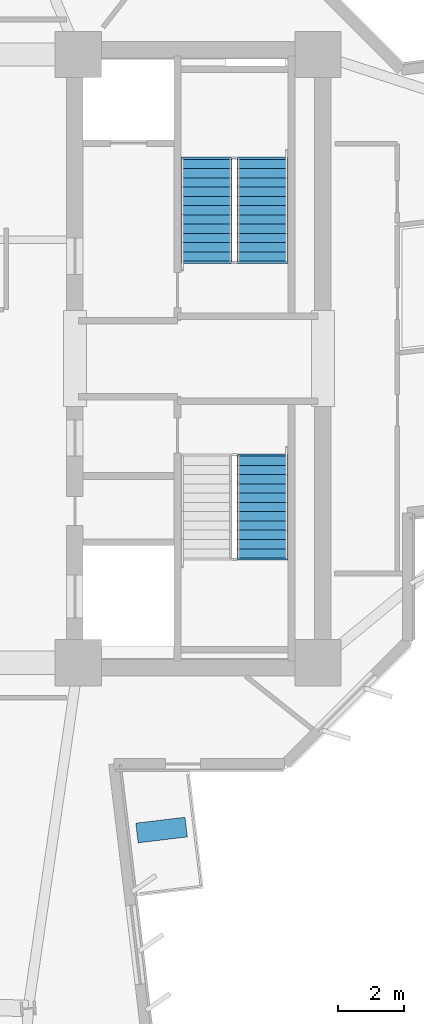
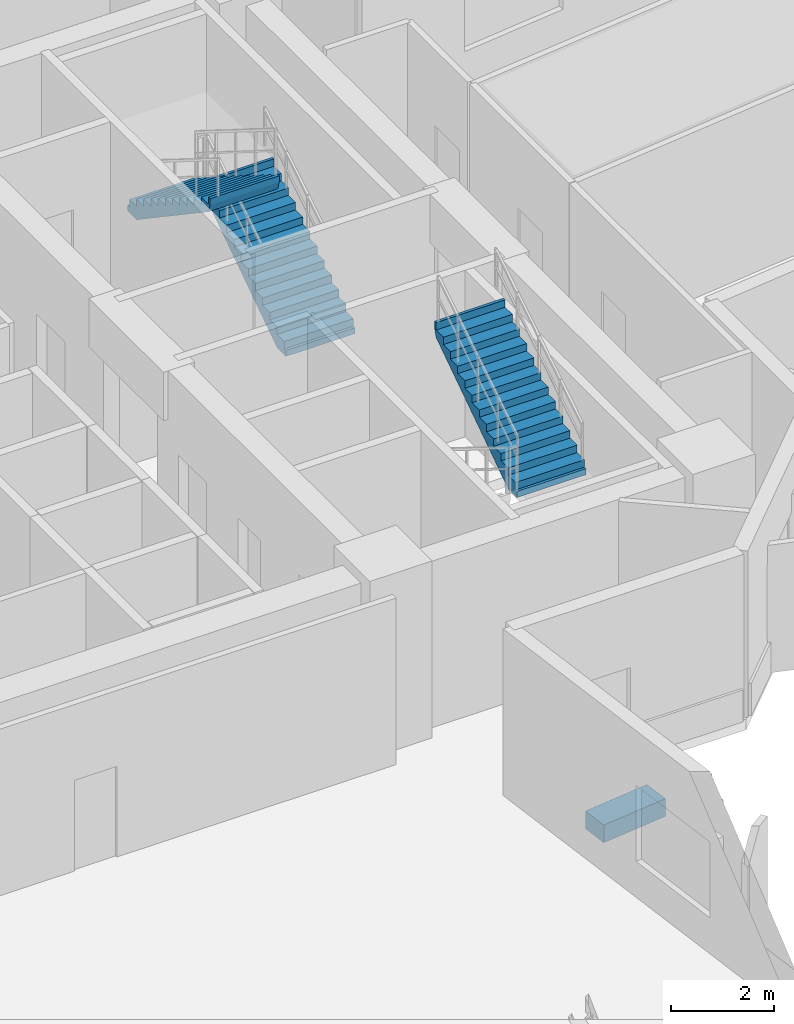
# One storey, part 10 of 15: 3 stair flights, 1 discrete accessory, 2 elements without a shape of their own.
"""IFC4 building model written with IfcOpenShell, lengths in metres."""

from ifc_helpers import new_model, si_unit, direction, frame, origin, origin_2d, place, context, subcontext, project, spatial, polyline, rectangle, outline, extrude, source, transform, mapped, material, type_object, element, aggregate, save


model = new_model("IFC4")

# Units and contexts
model_context = context("Model", 3, precision=1e-05, world=origin(), true_north=direction((0.0, 1.0)))
body_context = subcontext(model_context, "Body", "Model", "MODEL_VIEW")
ifc_project = project(units=[si_unit("LENGTHUNIT", "METRE"), si_unit("AREAUNIT", "SQUARE_METRE"), si_unit("VOLUMEUNIT", "CUBIC_METRE"), si_unit("PLANEANGLEUNIT", "RADIAN"), si_unit("MASSUNIT", "GRAM", prefix="KILO")], contexts=[model_context])

# Site, building, storey
site_placement = place(None, origin())
site = spatial("IfcSite", under=ifc_project, at=site_placement, CompositionType="ELEMENT")
building_placement = place(site_placement, origin())
building = spatial("IfcBuilding", under=site, at=building_placement, Name="Zahravan Cultural Tower", CompositionType="ELEMENT")
storey_placement = place(building_placement, frame((0.0, 0.0, 104.699951171875)))
storey = spatial("IfcBuildingStorey", under=building, at=storey_placement, Name="L23", CompositionType="ELEMENT", Elevation=104.699951171875)

# Stair, stair flights
ifc_material_1 = material(Name="Concrete C45/55", Category="concrete")
stair_type = type_object("IfcStairType", Name="STR-DL-1550-420", PredefinedType="HALF_TURN_STAIR", material=ifc_material_1)
stair_1_placement = place(storey_placement, origin())
stair_1 = element("IfcStair", 1, at=stair_1_placement, inside=storey, type_object=stair_type, Name="L23 East Core North Exit Stair ST-E1", PredefinedType="HALF_TURN_STAIR")
stair_flight_type = type_object("IfcStairFlightType", Name="FLG-DL-1550-420", PredefinedType="STRAIGHT", material=ifc_material_1)
stair_flight_1_placement = place(storey_placement, frame((48.675048828125, 29.949951171875, 0.0), z_axis=(0.0, 0.0, 1.0), x_axis=(0.0, 1.0, 0.0)))
stair_flight_1 = element("IfcStairFlight", 2, at=stair_flight_1_placement, type_object=stair_flight_type, Name="ST-E1 flight 1", NumberOfRisers=12, NumberOfTreads=11, PredefinedType="STRAIGHT", RiserHeight=0.175, TreadLength=0.28, context=body_context, shape_type="SweptSolid", body=[
    extrude(outline(polyline([(-0.06494140625, -0.139892578125), (-0.06494140625, 0.0), (0.0, 0.0), (0.0, 0.175048828125), (0.280029296875, 0.175048828125), (0.280029296875, 0.35009765625), (0.56005859375, 0.35009765625), (0.56005859375, 0.52490234375), (0.840087890625, 0.52490234375), (0.840087890625, 0.699951171875), (1.1201171875, 0.699951171875), (1.1201171875, 0.875), (1.39990234375, 0.875), (1.39990234375, 1.050048828125), (1.679931640625, 1.050048828125), (1.679931640625, 1.22509765625), (1.9599609375, 1.22509765625), (1.9599609375, 1.39990234375), (2.239990234375, 1.39990234375), (2.239990234375, 1.574951171875), (2.52001953125, 1.574951171875), (2.52001953125, 1.75), (2.800048828125, 1.75), (2.800048828125, 1.925048828125), (3.080078125, 1.925048828125), (3.080078125, 2.10009765625), (3.14501953125, 2.10009765625), (3.14501953125, 1.9501953125), (3.080078125, 1.748291015625), (0.28271484375, -0.139892578125), (-0.06494140625, -0.139892578125)])), frame((0.0, 0.77490234375, 0.0), z_axis=(0.0, -1.0, 0.0), x_axis=(1.0, 0.0, 0.0)), (0.0, 0.0, 1.0), 1.550048828125),
])
stair_flight_2_placement = place(storey_placement, frame((46.97509765625, 33.030029296875, 2.10009765625), z_axis=(0.0, 0.0, 1.0), x_axis=(0.0, -1.0, 0.0)))
stair_flight_2 = element("IfcStairFlight", 3, at=stair_flight_2_placement, type_object=stair_flight_type, Name="ST-E1 flight 2", NumberOfRisers=12, NumberOfTreads=11, PredefinedType="STRAIGHT", RiserHeight=0.175, TreadLength=0.28, context=body_context, shape_type="SweptSolid", body=[
    extrude(outline(polyline([(-0.06494140625, -0.139892578125), (-0.06494140625, 0.0), (0.0, 0.0), (0.0, 0.175048828125), (0.280029296875, 0.175048828125), (0.280029296875, 0.35009765625), (0.56005859375, 0.35009765625), (0.56005859375, 0.52490234375), (0.840087890625, 0.52490234375), (0.840087890625, 0.699951171875), (1.1201171875, 0.699951171875), (1.1201171875, 0.875), (1.39990234375, 0.875), (1.39990234375, 1.050048828125), (1.679931640625, 1.050048828125), (1.679931640625, 1.22509765625), (1.9599609375, 1.22509765625), (1.9599609375, 1.39990234375), (2.239990234375, 1.39990234375), (2.239990234375, 1.574951171875), (2.52001953125, 1.574951171875), (2.52001953125, 1.75), (2.800048828125, 1.75), (2.800048828125, 1.925048828125), (3.080078125, 1.925048828125), (3.080078125, 2.10009765625), (3.14501953125, 2.10009765625), (3.14501953125, 1.9501953125), (3.080078125, 1.748291015625), (0.28271484375, -0.139892578125), (-0.06494140625, -0.139892578125)])), frame((0.0, 0.77490234375, 0.0), z_axis=(0.0, -1.0, 0.0), x_axis=(1.0, 0.0, 0.0)), (0.0, 0.0, 1.0), 1.550048828125),
])
aggregate(stair_1, [stair_flight_1, stair_flight_2])

# Stair, stair flight
stair_2_placement = place(storey_placement, origin())
stair_2 = element("IfcStair", 4, at=stair_2_placement, inside=storey, type_object=stair_type, Name="L23 East Core South Exit Stair ST-E2", PredefinedType="HALF_TURN_STAIR")
stair_flight_3_placement = place(storey_placement, frame((48.675048828125, 20.969970703125, 2.10009765625), z_axis=(0.0, 0.0, 1.0), x_axis=(0.0, 1.0, 0.0)))
stair_flight_3 = element("IfcStairFlight", 5, at=stair_flight_3_placement, type_object=stair_flight_type, Name="ST-E2 flight 2", NumberOfRisers=12, NumberOfTreads=11, PredefinedType="STRAIGHT", RiserHeight=0.175, TreadLength=0.28, context=body_context, shape_type="SweptSolid", body=[
    extrude(outline(polyline([(-0.06494140625, -0.139892578125), (-0.06494140625, 0.0), (0.0, 0.0), (0.0, 0.175048828125), (0.280029296875, 0.175048828125), (0.280029296875, 0.35009765625), (0.56005859375, 0.35009765625), (0.56005859375, 0.52490234375), (0.840087890625, 0.52490234375), (0.840087890625, 0.699951171875), (1.1201171875, 0.699951171875), (1.1201171875, 0.875), (1.39990234375, 0.875), (1.39990234375, 1.050048828125), (1.679931640625, 1.050048828125), (1.679931640625, 1.22509765625), (1.9599609375, 1.22509765625), (1.9599609375, 1.39990234375), (2.239990234375, 1.39990234375), (2.239990234375, 1.574951171875), (2.52001953125, 1.574951171875), (2.52001953125, 1.75), (2.800048828125, 1.75), (2.800048828125, 1.925048828125), (3.080078125, 1.925048828125), (3.080078125, 2.10009765625), (3.14501953125, 2.10009765625), (3.14501953125, 1.9501953125), (3.080078125, 1.748291015625), (0.28271484375, -0.139892578125), (-0.06494140625, -0.139892578125)])), frame((0.0, 0.77490234375, 0.0), z_axis=(0.0, -1.0, 0.0), x_axis=(1.0, 0.0, 0.0)), (0.0, 0.0, 1.0), 1.550048828125),
])
aggregate(stair_2, [stair_flight_3])

# Discrete accessory
ifc_material_2 = material(Name="Planted soil and terracotta planter", Category="masonry")
discrete_accessory_type = type_object("IfcDiscreteAccessoryType", Name="ACC-PLANTER-TC", PredefinedType="USERDEFINED", material=ifc_material_2)
shared_shape = source(origin(), body_context, "Body", "SweptSolid", [
    extrude(rectangle(XDim=1.5, YDim=0.60009765625, at=origin_2d()), origin(), (0.0, 0.0, 1.0), 0.419921875),
])
discrete_accessory_placement = place(storey_placement, frame((45.619140625, 12.741455078125, 0.0), z_axis=(0.0, 0.0, 1.0), x_axis=(0.99288260457, 0.119097160095, 0.0)))
element("IfcDiscreteAccessory", 6, at=discrete_accessory_placement, inside=storey, type_object=discrete_accessory_type, Name="L23 Terracotta Sculpture Planter SE", ObjectType="PLANTER", PredefinedType="USERDEFINED", context=body_context, shape_type="MappedRepresentation", body=[
    mapped(shared_shape, transform((0.0, 0.0, 0.0), x_axis=(1.0, 0.0, 0.0), y_axis=(0.0, 1.0, 0.0), z_axis=(0.0, 0.0, 1.0), scale=1.0)),
])

save(model, "model.ifc")
